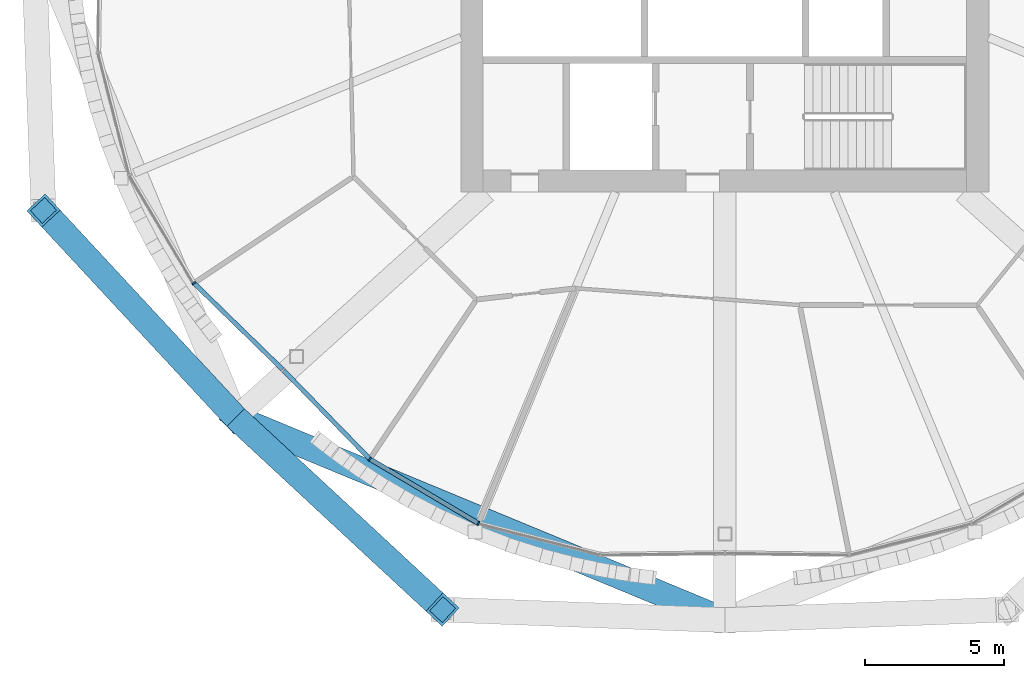
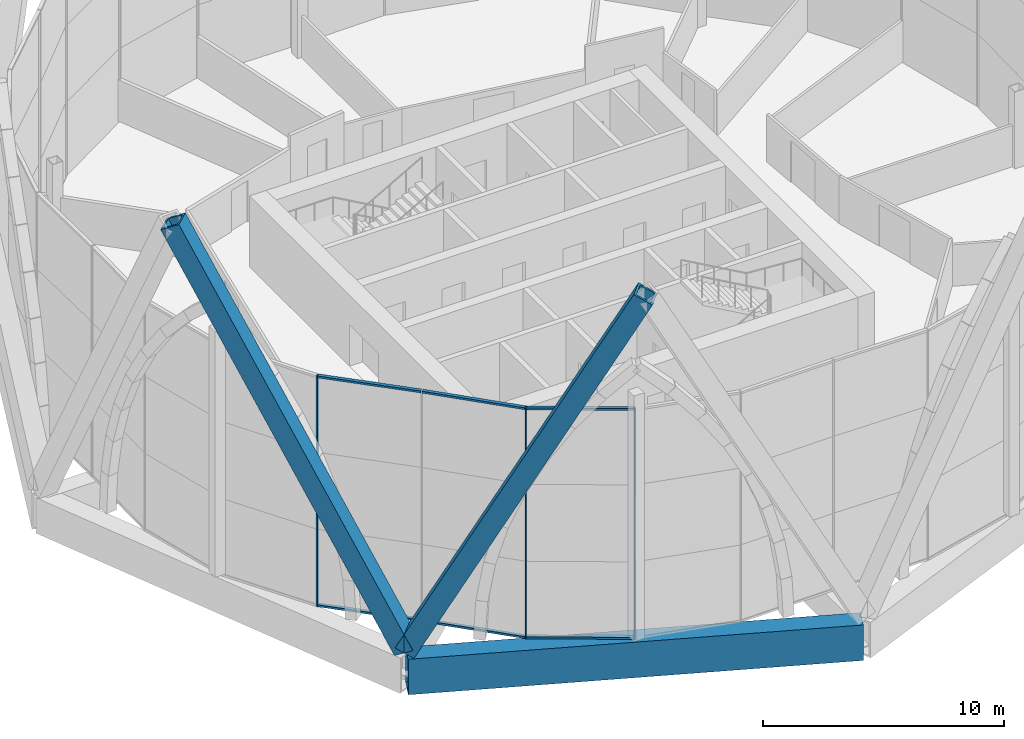
# One storey, part 3 of 37: 11 members, 1 beam, 2 elements without a shape of their own.
"""IFC4 building model written with IfcOpenShell, lengths in metres."""

from ifc_helpers import new_model, si_unit, direction, frame, origin, origin_2d, place, context, subcontext, project, spatial, rectangle, hollow_rectangle, extrude, material, material_profile, profile_set, type_object, element, aggregate, save


model = new_model("IFC4")

# Units and contexts
model_context = context("Model", 3, precision=1e-05, world=origin(), true_north=direction((0.0, 1.0)))
body_context = subcontext(model_context, "Body", "Model", "MODEL_VIEW")
ifc_project = project(units=[si_unit("LENGTHUNIT", "METRE"), si_unit("AREAUNIT", "SQUARE_METRE"), si_unit("VOLUMEUNIT", "CUBIC_METRE"), si_unit("PLANEANGLEUNIT", "RADIAN"), si_unit("MASSUNIT", "GRAM", prefix="KILO")], contexts=[model_context])

# Site, building, storey
site_placement = place(None, origin())
site = spatial("IfcSite", under=ifc_project, at=site_placement, CompositionType="ELEMENT")
building_placement = place(site_placement, origin())
building = spatial("IfcBuilding", under=site, at=building_placement, Name="Ogive Gate Towers", CompositionType="ELEMENT")
storey_placement = place(building_placement, frame((0.0, 0.0, 32.39990234375)))
storey = spatial("IfcBuildingStorey", under=building, at=storey_placement, Name="L06", CompositionType="ELEMENT", Elevation=32.39990234375)

# Members
ifc_material_1 = material(Name="Steel SM460", Category="steel")
ifc_material_profile_1 = material_profile(ifc_material_1, hollow_rectangle(XDim=0.89990234375, YDim=0.89990234375, WallThickness=0.10009765625, at=origin_2d()), Name="BX 900x900x100")
ifc_profile_set_1 = profile_set([ifc_material_profile_1], Name="Steel SM460")
member_type_1 = type_object("IfcMemberType", Name="Diagrid diagonal BX 900x900x100", PredefinedType="BRACE", material=ifc_profile_set_1)
for number, where, z_axis, x_axis, name in (
    (1, (-53.614013671875, -17.614013671875, 0.0), (-0.31444089886, 0.338942066201, 0.886704684144), (-0.733107278791, -0.68011301839, 0.0), "T1/L06/SDG011"),
    (2, (-53.614013671875, -17.614013671875, 0.0), (0.338942066201, -0.31444089886, 0.886704684144), (0.68011301839, 0.733107278791, 0.0), "T1/L06/SDG012"),
):
    element("IfcMember", number, at=place(storey_placement, frame(where, z_axis=z_axis, x_axis=x_axis)), inside=storey, type_object=member_type_1, Name=name, PredefinedType="BRACE", context=body_context, shape_type="SweptSolid", body=[
        extrude(hollow_rectangle(XDim=0.89990234375, YDim=0.89990234375, WallThickness=0.10009765625, at=origin_2d()), origin(), (0.0, 0.0, 1.0), 21.991455078125),
    ])

# Beam
ifc_material_profile_2 = material_profile(ifc_material_1, hollow_rectangle(XDim=0.89990234375, YDim=1.800048828125, WallThickness=0.080078125, at=origin_2d()), Name="BX 1800x900x80")
ifc_profile_set_2 = profile_set([ifc_material_profile_2], Name="Steel SM460")
beam_type = type_object("IfcBeamType", Name="Edge girder BX 1800x900x80", PredefinedType="BEAM", material=ifc_profile_set_2)
beam_placement = place(storey_placement, frame((-53.614013671875, -17.614013671875, -1.199951171875), z_axis=(0.923880736283, -0.382680526191, 0.0), x_axis=(0.382680526191, 0.923880736283, 0.0)))
element("IfcBeam", 3, at=beam_placement, inside=storey, type_object=beam_type, Name="T1/L06/SBM017", PredefinedType="BEAM", context=body_context, shape_type="SweptSolid", body=[
    extrude(hollow_rectangle(XDim=0.89990234375, YDim=1.800048828125, WallThickness=0.080078125, at=origin_2d()), origin(), (0.0, 0.0, 1.0), 19.065185546875),
])

# Curtain wall, member
ifc_material_2 = material(Name="Pale metal aluminium", Category="aluminium")
curtain_wall_type = type_object("IfcCurtainWallType", Name="Tower unitised wall, low zone", PredefinedType="NOTDEFINED", material=ifc_material_2)
curtain_wall_1_placement = place(storey_placement, origin())
curtain_wall_1 = element("IfcCurtainWall", 4, at=curtain_wall_1_placement, inside=storey, type_object=curtain_wall_type, Name="CW1 T1 ECW05", PredefinedType="NOTDEFINED")
ifc_material_profile_3 = material_profile(ifc_material_2, rectangle(XDim=0.159912109375, YDim=0.06005859375, at=origin_2d()), Name="60 x 160 aluminium box")
ifc_profile_set_3 = profile_set([ifc_material_profile_3], Name="Pale metal aluminium")
member_type_2 = type_object("IfcMemberType", Name="Tower unitised wall, low zone mullion 60 x 160", PredefinedType="MULLION", material=ifc_profile_set_3)
member_1_placement = place(storey_placement, frame((-55.112548828125, -12.778076171875, -0.2998046875), z_axis=(0.0, 0.0, 1.0), x_axis=(-0.785759744117, -0.61853182984, 0.0)))
member_1 = element("IfcMember", 5, at=member_1_placement, type_object=member_type_2, Name="CW1 mullion", PredefinedType="MULLION", context=body_context, shape_type="SweptSolid", body=[
    extrude(rectangle(XDim=0.159912109375, YDim=0.06005859375, at=origin_2d()), origin(), (0.0, 0.0, 1.0), 11.699951171875),
])

# Curtain wall, members
curtain_wall_2_placement = place(storey_placement, origin())
curtain_wall_2 = element("IfcCurtainWall", 6, at=curtain_wall_2_placement, inside=storey, type_object=curtain_wall_type, Name="CW1 T1 ECW06", PredefinedType="NOTDEFINED")
member_2_placement = place(storey_placement, frame((-48.778076171875, -19.112548828125, -0.2998046875), z_axis=(0.0, 0.0, 1.0), x_axis=(-0.61853182984, -0.785759744117, 0.0)))
member_2 = element("IfcMember", 7, at=member_2_placement, type_object=member_type_2, Name="CW1 mullion", PredefinedType="MULLION", context=body_context, shape_type="SweptSolid", body=[
    extrude(rectangle(XDim=0.159912109375, YDim=0.06005859375, at=origin_2d()), origin(), (0.0, 0.0, 1.0), 11.699951171875),
])
member_3_placement = place(storey_placement, frame((-44.874755859375, -21.42578125, -0.2998046875), z_axis=(0.0, 0.0, 1.0), x_axis=(-0.382683432365, -0.923879532511, 0.0)))
member_3 = element("IfcMember", 8, at=member_3_placement, type_object=member_type_2, Name="CW1 mullion", PredefinedType="MULLION", context=body_context, shape_type="SweptSolid", body=[
    extrude(rectangle(XDim=0.159912109375, YDim=0.06005859375, at=origin_2d()), origin(), (0.0, 0.0, 1.0), 11.699951171875),
])

# Member
ifc_material_profile_4 = material_profile(ifc_material_2, rectangle(XDim=0.159912109375, YDim=0.10009765625, at=origin_2d()), Name="100 x 160 aluminium box")
ifc_profile_set_4 = profile_set([ifc_material_profile_4], Name="Pale metal aluminium")
member_type_3 = type_object("IfcMemberType", Name="Tower unitised wall, low zone transom 100 x 160", PredefinedType="USERDEFINED", material=ifc_profile_set_4)
member_4_placement = place(storey_placement, frame((-55.0927734375, -12.797119140625, 11.35009765625), z_axis=(0.716512582651, -0.697574167313, 0.0), x_axis=(0.697574167313, 0.716512582651, 0.0)))
member_4 = element("IfcMember", 9, at=member_4_placement, type_object=member_type_3, Name="CW1 transom", ObjectType="TRANSOM", PredefinedType="USERDEFINED", context=body_context, shape_type="SweptSolid", body=[
    extrude(rectangle(XDim=0.159912109375, YDim=0.10009765625, at=origin_2d()), origin(), (0.0, 0.0, 1.0), 4.421630859375),
])

member_5_placement = place(storey_placement, frame((-55.0927734375, -12.797119140625, -0.25), z_axis=(0.716512582651, -0.697574167313, 0.0), x_axis=(0.697574167313, 0.716512582651, 0.0)))
member_5 = element("IfcMember", 10, at=member_5_placement, type_object=member_type_3, Name="CW1 transom", ObjectType="TRANSOM", PredefinedType="USERDEFINED", context=body_context, shape_type="SweptSolid", body=[
    extrude(rectangle(XDim=0.159912109375, YDim=0.10009765625, at=origin_2d()), origin(), (0.0, 0.0, 1.0), 4.421630859375),
])

aggregate(curtain_wall_1, [member_1, member_4, member_5])

member_6_placement = place(storey_placement, frame((-51.881591796875, -15.924560546875, 11.35009765625), z_axis=(0.697574167313, -0.716512582651, 0.0), x_axis=(0.716512582651, 0.697574167313, 0.0)))
member_6 = element("IfcMember", 11, at=member_6_placement, type_object=member_type_3, Name="CW1 transom", ObjectType="TRANSOM", PredefinedType="USERDEFINED", context=body_context, shape_type="SweptSolid", body=[
    extrude(rectangle(XDim=0.159912109375, YDim=0.10009765625, at=origin_2d()), origin(), (0.0, 0.0, 1.0), 4.421630859375),
])

member_7_placement = place(storey_placement, frame((-51.881591796875, -15.924560546875, -0.25), z_axis=(0.697574167313, -0.716512582651, 0.0), x_axis=(0.716512582651, 0.697574167313, 0.0)))
member_7 = element("IfcMember", 12, at=member_7_placement, type_object=member_type_3, Name="CW1 transom", ObjectType="TRANSOM", PredefinedType="USERDEFINED", context=body_context, shape_type="SweptSolid", body=[
    extrude(rectangle(XDim=0.159912109375, YDim=0.10009765625, at=origin_2d()), origin(), (0.0, 0.0, 1.0), 4.421630859375),
])

member_8_placement = place(storey_placement, frame((-48.75439453125, -19.126220703125, 11.35009765625), z_axis=(0.860267645697, -0.509842699042, 0.0), x_axis=(0.509842699042, 0.860267645697, 0.0)))
member_8 = element("IfcMember", 13, at=member_8_placement, type_object=member_type_3, Name="CW1 transom", ObjectType="TRANSOM", PredefinedType="USERDEFINED", context=body_context, shape_type="SweptSolid", body=[
    extrude(rectangle(XDim=0.159912109375, YDim=0.10009765625, at=origin_2d()), origin(), (0.0, 0.0, 1.0), 4.482666015625),
])

member_9_placement = place(storey_placement, frame((-48.75439453125, -19.126220703125, -0.25), z_axis=(0.860267645697, -0.509842699042, 0.0), x_axis=(0.509842699042, 0.860267645697, 0.0)))
member_9 = element("IfcMember", 14, at=member_9_placement, type_object=member_type_3, Name="CW1 transom", ObjectType="TRANSOM", PredefinedType="USERDEFINED", context=body_context, shape_type="SweptSolid", body=[
    extrude(rectangle(XDim=0.159912109375, YDim=0.10009765625, at=origin_2d()), origin(), (0.0, 0.0, 1.0), 4.482666015625),
])

aggregate(curtain_wall_2, [member_2, member_6, member_7, member_3, member_8, member_9])

save(model, "model.ifc")
